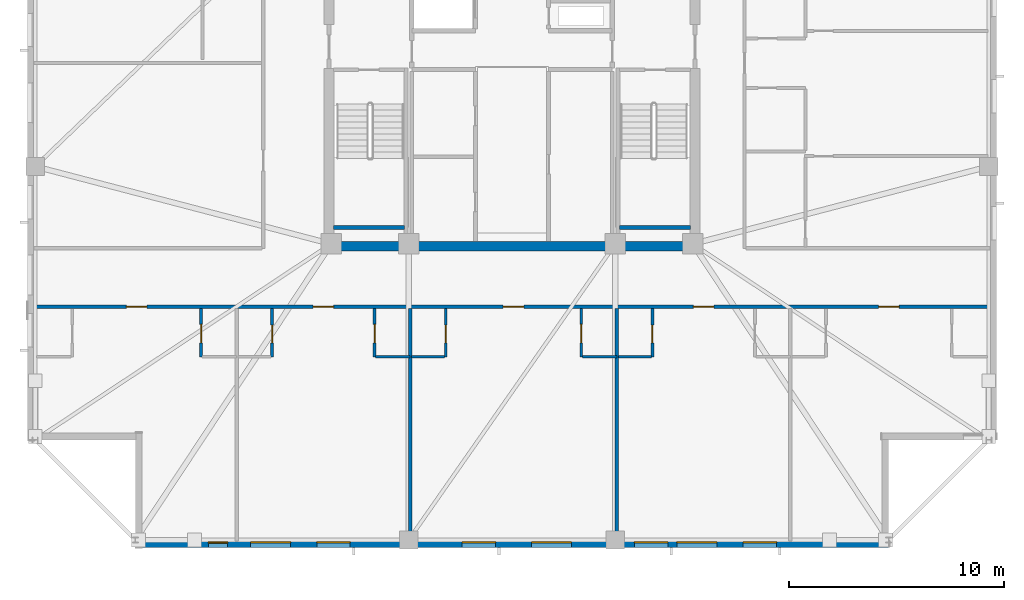
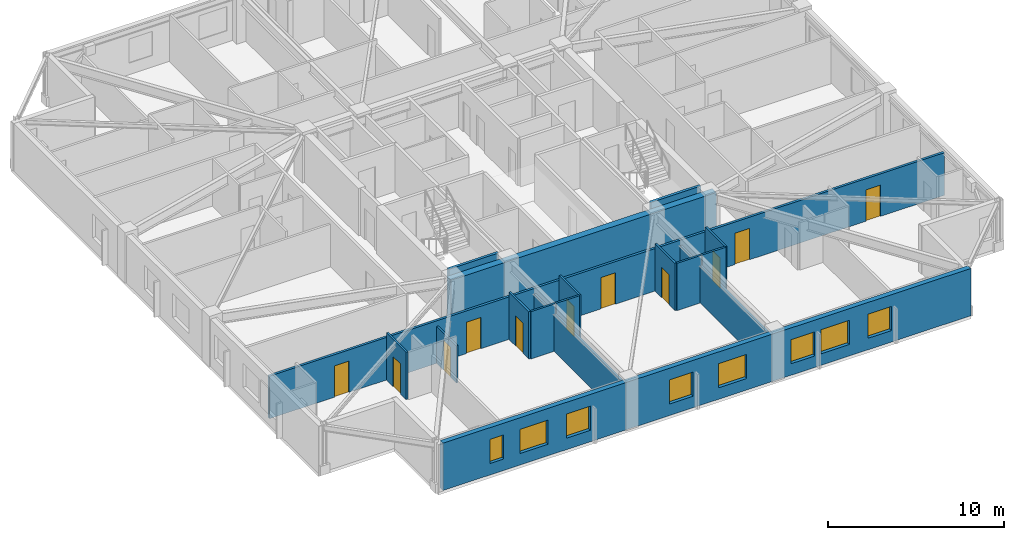
# One storey, part 7 of 17: 17 walls, 11 doors, 8 windows, 19 openings.
"""IFC4 building model written with IfcOpenShell, lengths in metres."""

import ifcopenshell
import ifcopenshell.guid

model = None  # the IFC model being written
_history = None  # IfcOwnerHistory: only IFC2X3 demands one
_inside = {}  # id of a spatial element -> (the spatial element, [elements in it])
_under = {}  # id of a project, library or spatial element -> (it, [spatial elements below it])
_declared = {}  # id of a project -> (the project, [libraries it declares])
_typed = {}  # id of a type object -> (the type object, [elements of that type])
_made_of = {}  # id of a material, layer set ... -> (it, [elements and type objects made of it])


def new_model(schema):
    """Start an empty IFC model of exactly this schema.

    Asked for "IFC4X3", IfcOpenShell would pick the latest addendum, in which some entities
    have other attributes; the version numbers below select the first issue.
    IFC2X3 requires an IfcOwnerHistory on every rooted entity: one is made here for all.
    """
    global model, _history
    if schema == "IFC4X3":
        model = ifcopenshell.file(schema_version=(4, 3, 0, 0))
    else:
        model = ifcopenshell.file(schema=schema)
    _inside.clear()
    _under.clear()
    _declared.clear()
    _typed.clear()
    _made_of.clear()
    _history = None
    if model.schema == "IFC2X3":
        org = make("IfcOrganization", Name="unknown")
        user = make(
            "IfcPersonAndOrganization",
            ThePerson=make("IfcPerson", FamilyName="unknown"),
            TheOrganization=org,
        )
        app = make(
            "IfcApplication",
            ApplicationDeveloper=org,
            Version="unknown",
            ApplicationFullName="unknown",
            ApplicationIdentifier="unknown",
        )
        _history = make(
            "IfcOwnerHistory",
            OwningUser=user,
            OwningApplication=app,
            ChangeAction="ADDED",
            CreationDate=0,
        )
    return model


def make(cls, **values):
    """One entity of the class cls with the attributes given. An attribute that is None is left unset."""
    return model.create_entity(
        cls, **{name: value for name, value in values.items() if value is not None}
    )


def rooted(cls, **values):
    """An entity with a GlobalId (a new one), such as an element, a storey or a relation."""
    return make(cls, GlobalId=ifcopenshell.guid.new(), OwnerHistory=_history, **values)


def si_unit(unit_type, name, prefix=None):
    """IfcSIUnit, for example si_unit("LENGTHUNIT", "METRE", prefix="MILLI")."""
    return make("IfcSIUnit", UnitType=unit_type, Prefix=prefix, Name=name)


def assignment(units):
    """IfcUnitAssignment: the units of a project."""
    return None if units is None else make("IfcUnitAssignment", Units=units)


def point(xyz):
    """IfcCartesianPoint."""
    return None if xyz is None else make("IfcCartesianPoint", Coordinates=xyz)


def direction(xyz):
    """IfcDirection."""
    return None if xyz is None else make("IfcDirection", DirectionRatios=xyz)


def frame(location, z_axis=None, x_axis=None):
    """IfcAxis2Placement3D, a coordinate frame: its origin and axes. An axis left out is left unset."""
    return make(
        "IfcAxis2Placement3D",
        Location=point(location),
        Axis=direction(z_axis),
        RefDirection=direction(x_axis),
    )


def frame_2d(location, x_axis=None):
    """IfcAxis2Placement2D, a coordinate frame in the plane: its origin and x axis."""
    return make(
        "IfcAxis2Placement2D", Location=point(location), RefDirection=direction(x_axis)
    )


def origin():
    """The frame at (0, 0, 0) with its axes left unset."""
    return frame((0.0, 0.0, 0.0))


def place(relative_to, where):
    """IfcLocalPlacement: puts the frame where relative to a parent placement (None: the world)."""
    return make(
        "IfcLocalPlacement", PlacementRelTo=relative_to, RelativePlacement=where
    )


def context(
    kind, dimensions, precision=None, world=None, true_north=None, identifier=None
):
    """IfcGeometricRepresentationContext, for example the 3D "Model" context."""
    return make(
        "IfcGeometricRepresentationContext",
        ContextIdentifier=identifier,
        ContextType=kind,
        CoordinateSpaceDimension=dimensions,
        Precision=precision,
        WorldCoordinateSystem=world,
        TrueNorth=true_north,
    )


def subcontext(parent, identifier, kind, view, scale=None):
    """IfcGeometricRepresentationSubContext, for example "Body" below "Model"."""
    return make(
        "IfcGeometricRepresentationSubContext",
        ContextIdentifier=identifier,
        ContextType=kind,
        ParentContext=parent,
        TargetScale=scale,
        TargetView=view,
    )


def project(units=None, contexts=None):
    """IfcProject with its units and contexts."""
    return rooted(
        "IfcProject",
        Name="project",
        RepresentationContexts=contexts,
        UnitsInContext=assignment(units),
    )


def spatial(cls, under=None, at=None, **own):
    """A site, building, storey or space (cls), placed at a placement, below another one or the project."""
    s = rooted(cls, ObjectPlacement=at, **own)
    if under is not None:
        _under.setdefault(under.id(), (under, []))[1].append(s)
    return s


def profile(cls, at=None, kind="AREA", **sizes):
    """A parametric profile (cls). Its sizes go by their IFC names, for example OverallWidth=200.0."""
    return make(cls, ProfileType=kind, Position=at, **sizes)


def rectangle(**sizes):
    """IfcRectangleProfileDef."""
    return profile("IfcRectangleProfileDef", **sizes)


def extrude(swept, where, along, depth):
    """IfcExtrudedAreaSolid: the profile swept, set in the frame where, extruded along a direction by depth."""
    return make(
        "IfcExtrudedAreaSolid",
        SweptArea=swept,
        Position=where,
        ExtrudedDirection=direction(along),
        Depth=depth,
    )


def shape(context_of_items, identifier, shape_type, items):
    """IfcShapeRepresentation: the items that make up one representation, for example the "Body"."""
    return make(
        "IfcShapeRepresentation",
        ContextOfItems=context_of_items,
        RepresentationIdentifier=identifier,
        RepresentationType=shape_type,
        Items=items,
    )


def material(Name=None, Category=None):
    """IfcMaterial."""
    return make("IfcMaterial", Name=Name, Category=Category)


def layer(
    of_material, thickness, ventilated=None, Name=None, Category=None, Priority=None
):
    """IfcMaterialLayer: one layer of a wall or slab, of a material (None: an air gap)."""
    return make(
        "IfcMaterialLayer",
        Material=of_material,
        LayerThickness=thickness,
        IsVentilated=ventilated,
        Name=Name,
        Category=Category,
        Priority=Priority,
    )


def layer_set(layers, Name=None):
    """IfcMaterialLayerSet."""
    return make("IfcMaterialLayerSet", MaterialLayers=layers, LayerSetName=Name)


def made_of(thing, what):
    """Note that an element or type object is made of a material, layer set ...; save() writes the relation."""
    if what is not None:
        _made_of.setdefault(what.id(), (what, []))[1].append(thing)
    return thing


def type_object(cls, material=None, **own):
    """A type object (cls), such as IfcWallType, which elements share."""
    return made_of(rooted(cls, **own), material)


def element(
    cls,
    number,
    at=None,
    inside=None,
    cuts=None,
    type_object=None,
    material=None,
    context=None,
    identifier="Body",
    shape_type=None,
    held_by="IfcProductDefinitionShape",
    body=None,
    shapes=None,
    **own,
):
    """One element of the class cls, such as IfcWall. Its Tag is "e" and its number.

    at: its placement. inside: the storey or other place that contains it. cuts: it is an
    opening in that element (IfcRelVoidsElement). A single representation is given by context,
    identifier, shape_type and body (its items); several are given by shapes. held_by: the class
    of the entity that holds the representations. save() writes the other relations.
    """
    e = rooted(cls, Tag="e%d" % number, ObjectPlacement=at, **own)
    if body is not None:
        shapes = [shape(context, identifier, shape_type, body)]
    if shapes is not None:
        e.Representation = make(held_by, Representations=shapes)
    if inside is not None:
        _inside.setdefault(inside.id(), (inside, []))[1].append(e)
    if cuts is not None:
        rooted(
            "IfcRelVoidsElement", RelatingBuildingElement=cuts, RelatedOpeningElement=e
        )
    if type_object is not None:
        _typed.setdefault(type_object.id(), (type_object, []))[1].append(e)
    return made_of(e, material)


def fill(opening, filler):
    """IfcRelFillsElement: the door or window that sits in an opening."""
    return rooted(
        "IfcRelFillsElement",
        RelatingOpeningElement=opening,
        RelatedBuildingElement=filler,
    )


def aggregate(whole, parts):
    """IfcRelAggregates: a whole, such as a stair, and the parts it consists of."""
    return rooted("IfcRelAggregates", RelatingObject=whole, RelatedObjects=parts)


def save(model, path):
    """Write the relations noted so far, then the file.

    IfcRelAggregates (storeys below a building ...), IfcRelContainedInSpatialStructure (elements
    in a storey), IfcRelDefinesByType, IfcRelAssociatesMaterial and IfcRelDeclares: one each for
    every whole, place, type object, material and project.
    """
    for whole, parts in _under.values():
        aggregate(whole, parts)
    for where, things in _inside.values():
        rooted(
            "IfcRelContainedInSpatialStructure",
            RelatedElements=things,
            RelatingStructure=where,
        )
    for kind, things in _typed.values():
        rooted("IfcRelDefinesByType", RelatedObjects=things, RelatingType=kind)
    for what, things in _made_of.values():
        rooted("IfcRelAssociatesMaterial", RelatedObjects=things, RelatingMaterial=what)
    for by, libraries in _declared.values():
        rooted("IfcRelDeclares", RelatingContext=by, RelatedDefinitions=libraries)
    model.write(path)


model = new_model("IFC4")

# Units and contexts
model_context = context("Model", 3, precision=1e-05, world=origin(), true_north=direction((0.0, 1.0)))
body_context = subcontext(model_context, "Body", "Model", "MODEL_VIEW")
ifc_project = project(units=[si_unit("LENGTHUNIT", "METRE"), si_unit("AREAUNIT", "SQUARE_METRE"), si_unit("VOLUMEUNIT", "CUBIC_METRE"), si_unit("PLANEANGLEUNIT", "RADIAN"), si_unit("MASSUNIT", "GRAM", prefix="KILO")], contexts=[model_context])

# Site, building, storey
site_placement = place(None, origin())
site = spatial("IfcSite", under=ifc_project, at=site_placement, CompositionType="ELEMENT")
building_placement = place(site_placement, origin())
building = spatial("IfcBuilding", under=site, at=building_placement, Name="Cairnveth Concourse Tower", CompositionType="ELEMENT")
storey_placement = place(building_placement, frame((0.0, 0.0, 213.0)))
storey = spatial("IfcBuildingStorey", under=building, at=storey_placement, Name="L58", CompositionType="ELEMENT", Elevation=213.0)

# Wall, openings, doors
ifc_material_1 = material(Name="Gypsum Plasterboard Partition", Category="gypsum")
ifc_layer_1 = layer(ifc_material_1, 0.159912109375)
ifc_layer_set_1 = layer_set([ifc_layer_1], Name="Gypsum Plasterboard Partition")
wall_type_1 = type_object("IfcWallType", Name="ACOUSTIC PARTY WALL 180", PredefinedType="PARTITIONING", material=ifc_layer_set_1)
wall_1_placement = place(storey_placement, frame((29.804931640625, 27.68994140625, 0.0), z_axis=(0.0, 0.0, 1.0), x_axis=(1.0, 0.0, 0.0)))
wall_1 = element("IfcWall", 1, at=wall_1_placement, inside=storey, type_object=wall_type_1, Name="Interior Wall IW-L58-035", PredefinedType="PARTITIONING", context=body_context, shape_type="SweptSolid", body=[
    extrude(rectangle(XDim=44.39013671875, YDim=0.159912109375, at=frame_2d((22.195068359375, 0.0))), origin(), (0.0, 0.0, 1.0), 2.9580078125),
])
opening_1_placement = place(wall_1_placement, frame((4.278564453125, 0.0, 0.0)))
opening_1 = element("IfcOpeningElement", 2, at=opening_1_placement, cuts=wall_1, Name="Opening ID10", PredefinedType="OPENING", context=body_context, shape_type="SweptSolid", body=[
    extrude(rectangle(XDim=0.9599609375, YDim=2.179931640625, at=frame_2d((0.47998046875, 1.08984375))), frame((0.0, 0.08984375, 0.0), z_axis=(0.0, -1.0, 0.0), x_axis=(1.0, 0.0, 0.0)), (0.0, 0.0, 1.0), 0.179931640625),
])
opening_2_placement = place(wall_1_placement, frame((12.952880859375, 0.0, 0.0)))
opening_2 = element("IfcOpeningElement", 3, at=opening_2_placement, cuts=wall_1, Name="Opening ID10", PredefinedType="OPENING", context=body_context, shape_type="SweptSolid", body=[
    extrude(rectangle(XDim=0.9599609375, YDim=2.179931640625, at=frame_2d((0.47998046875, 1.08984375))), frame((0.0, 0.08984375, 0.0), z_axis=(0.0, -1.0, 0.0), x_axis=(1.0, 0.0, 0.0)), (0.0, 0.0, 1.0), 0.179931640625),
])
opening_3_placement = place(wall_1_placement, frame((21.784912109375, 0.0, 0.0)))
opening_3 = element("IfcOpeningElement", 4, at=opening_3_placement, cuts=wall_1, Name="Opening ID10", PredefinedType="OPENING", context=body_context, shape_type="SweptSolid", body=[
    extrude(rectangle(XDim=0.9599609375, YDim=2.179931640625, at=frame_2d((0.47998046875, 1.08984375))), frame((0.0, 0.08984375, 0.0), z_axis=(0.0, -1.0, 0.0), x_axis=(1.0, 0.0, 0.0)), (0.0, 0.0, 1.0), 0.179931640625),
])
opening_4_placement = place(wall_1_placement, frame((30.616943359375, 0.0, 0.0)))
opening_4 = element("IfcOpeningElement", 5, at=opening_4_placement, cuts=wall_1, Name="Opening ID10", PredefinedType="OPENING", context=body_context, shape_type="SweptSolid", body=[
    extrude(rectangle(XDim=0.9599609375, YDim=2.179931640625, at=frame_2d((0.47998046875, 1.08984375))), frame((0.0, 0.08984375, 0.0), z_axis=(0.0, -1.0, 0.0), x_axis=(1.0, 0.0, 0.0)), (0.0, 0.0, 1.0), 0.179931640625),
])
opening_5_placement = place(wall_1_placement, frame((39.221435546875, 0.0, 0.0)))
opening_5 = element("IfcOpeningElement", 6, at=opening_5_placement, cuts=wall_1, Name="Opening ID10", PredefinedType="OPENING", context=body_context, shape_type="SweptSolid", body=[
    extrude(rectangle(XDim=0.9599609375, YDim=2.179931640625, at=frame_2d((0.47998046875, 1.08984375))), frame((0.0, 0.08984375, 0.0), z_axis=(0.0, -1.0, 0.0), x_axis=(1.0, 0.0, 0.0)), (0.0, 0.0, 1.0), 0.179931640625),
])
ifc_material_2 = material(Name="Solid Core Hardwood Timber Leaf", Category="wood")
door_type_1 = type_object("IfcDoorType", Name="FLAT ENTRANCE DOOR 960X2150", OperationType="NOTDEFINED", PredefinedType="DOOR", material=ifc_material_2)
door_1_placement = place(opening_1_placement, origin())
door_1 = element("IfcDoor", 7, at=door_1_placement, inside=storey, type_object=door_type_1, Name="Studio L58STS1 Entrance Door", OperationType="SINGLE_SWING_RIGHT", OverallHeight=2.179931640625, OverallWidth=0.9599609375, PredefinedType="DOOR", context=body_context, shape_type="SweptSolid", body=[
    extrude(rectangle(XDim=0.9599609375, YDim=2.179931640625, at=frame_2d((0.47998046875, 1.08984375))), frame((0.0, 0.02490234375, 0.0), z_axis=(0.0, -1.0, 0.0), x_axis=(1.0, 0.0, 0.0)), (0.0, 0.0, 1.0), 0.050048828125),
])
fill(opening_1, door_1)
door_2_placement = place(opening_2_placement, origin())
door_2 = element("IfcDoor", 8, at=door_2_placement, inside=storey, type_object=door_type_1, Name="Studio L58STS2 Entrance Door", OperationType="SINGLE_SWING_LEFT", OverallHeight=2.179931640625, OverallWidth=0.9599609375, PredefinedType="DOOR", context=body_context, shape_type="SweptSolid", body=[
    extrude(rectangle(XDim=0.9599609375, YDim=2.179931640625, at=frame_2d((0.47998046875, 1.08984375))), frame((0.0, 0.02490234375, 0.0), z_axis=(0.0, -1.0, 0.0), x_axis=(1.0, 0.0, 0.0)), (0.0, 0.0, 1.0), 0.050048828125),
])
fill(opening_2, door_2)
door_3_placement = place(opening_3_placement, origin())
door_3 = element("IfcDoor", 9, at=door_3_placement, inside=storey, type_object=door_type_1, Name="Studio L58STS3 Entrance Door", OperationType="SINGLE_SWING_RIGHT", OverallHeight=2.179931640625, OverallWidth=0.9599609375, PredefinedType="DOOR", context=body_context, shape_type="SweptSolid", body=[
    extrude(rectangle(XDim=0.9599609375, YDim=2.179931640625, at=frame_2d((0.47998046875, 1.08984375))), frame((0.0, 0.02490234375, 0.0), z_axis=(0.0, -1.0, 0.0), x_axis=(1.0, 0.0, 0.0)), (0.0, 0.0, 1.0), 0.050048828125),
])
fill(opening_3, door_3)
door_4_placement = place(opening_4_placement, origin())
door_4 = element("IfcDoor", 10, at=door_4_placement, inside=storey, type_object=door_type_1, Name="Studio L58STS4 Entrance Door", OperationType="SINGLE_SWING_LEFT", OverallHeight=2.179931640625, OverallWidth=0.9599609375, PredefinedType="DOOR", context=body_context, shape_type="SweptSolid", body=[
    extrude(rectangle(XDim=0.9599609375, YDim=2.179931640625, at=frame_2d((0.47998046875, 1.08984375))), frame((0.0, 0.02490234375, 0.0), z_axis=(0.0, -1.0, 0.0), x_axis=(1.0, 0.0, 0.0)), (0.0, 0.0, 1.0), 0.050048828125),
])
fill(opening_4, door_4)
door_5_placement = place(opening_5_placement, origin())
door_5 = element("IfcDoor", 11, at=door_5_placement, inside=storey, type_object=door_type_1, Name="Studio L58STS5 Entrance Door", OperationType="SINGLE_SWING_RIGHT", OverallHeight=2.179931640625, OverallWidth=0.9599609375, PredefinedType="DOOR", context=body_context, shape_type="SweptSolid", body=[
    extrude(rectangle(XDim=0.9599609375, YDim=2.179931640625, at=frame_2d((0.47998046875, 1.08984375))), frame((0.0, 0.02490234375, 0.0), z_axis=(0.0, -1.0, 0.0), x_axis=(1.0, 0.0, 0.0)), (0.0, 0.0, 1.0), 0.050048828125),
])
fill(opening_5, door_5)

# Walls
for number, where, z_axis, x_axis, name in (
    (12, (47.26904296875, 16.804931640625, 0.0), (0.0, 0.0, 1.0), (0.0, 1.0, 0.0), "Interior Wall IW-L58-052"),
    (13, (56.87109375, 16.804931640625, 0.0), (0.0, 0.0, 1.0), (0.0, 1.0, 0.0), "Interior Wall IW-L58-057"),
):
    element("IfcWall", number, at=place(storey_placement, frame(where, z_axis=z_axis, x_axis=x_axis)), inside=storey, type_object=wall_type_1, Name=name, PredefinedType="PARTITIONING", context=body_context, shape_type="SweptSolid", body=[
        extrude(rectangle(XDim=10.80517578125, YDim=0.159912109375, at=frame_2d((5.402587890625, 0.0))), origin(), (0.0, 0.0, 1.0), 2.572998046875),
    ])
ifc_material_3 = material(Name="Concrete N65 (65 MPa)", Category="concrete")
ifc_layer_2 = layer(ifc_material_3, 0.449951171875)
ifc_layer_set_2 = layer_set([ifc_layer_2], Name="Concrete N65 (65 MPa)")
wall_type_2 = type_object("IfcWallType", Name="CORE SHEAR WALL 450", PredefinedType="SHEAR", material=ifc_layer_set_2)
wall_2_placement = place(storey_placement, frame((43.27490234375, 30.5, 0.0), z_axis=(0.0, 0.0, 1.0), x_axis=(1.0, 0.0, 0.0)))
element("IfcWall", 14, at=wall_2_placement, inside=storey, type_object=wall_type_2, Name="Core South Shear Wall L58", PredefinedType="SHEAR", context=body_context, shape_type="SweptSolid", body=[
    extrude(rectangle(XDim=17.4501953125, YDim=0.449951171875, at=frame_2d((8.72509765625, 0.0))), origin(), (0.0, 0.0, 1.0), 3.2900390625),
])
ifc_material_4 = material(Name="Concrete N50 (50 MPa)", Category="concrete")
ifc_layer_3 = layer(ifc_material_4, 0.179931640625)
ifc_layer_set_3 = layer_set([ifc_layer_3], Name="Concrete N50 (50 MPa)")
wall_type_3 = type_object("IfcWallType", Name="FIRE SHAFT WALL 180", PredefinedType="SOLIDWALL", material=ifc_layer_set_3)
for number, where, z_axis, x_axis, name in (
    (15, (43.715087890625, 31.360107421875, 0.0), (0.0, 0.0, 1.0), (1.0, 0.0, 0.0), "Stair ST-1 Shaft Wall FAR L58"),
    (16, (57.0048828125, 31.360107421875, 0.0), (0.0, 0.0, 1.0), (1.0, 0.0, 0.0), "Stair ST-2 Shaft Wall FAR L58"),
):
    element("IfcWall", number, at=place(storey_placement, frame(where, z_axis=z_axis, x_axis=x_axis)), inside=storey, type_object=wall_type_3, Name=name, PredefinedType="SOLIDWALL", context=body_context, shape_type="SweptSolid", body=[
        extrude(rectangle(XDim=3.280029296875, YDim=0.179931640625, at=frame_2d((1.64013671875, 0.0))), origin(), (0.0, 0.0, 1.0), 3.2900390625),
    ])

# Wall, opening, door
ifc_layer_4 = layer(ifc_material_1, 0.1298828125)
ifc_layer_set_4 = layer_set([ifc_layer_4], Name="Gypsum Plasterboard Partition")
wall_type_4 = type_object("IfcWallType", Name="WET AREA PARTITION 140", PredefinedType="PLUMBINGWALL", material=ifc_layer_set_4)
wall_3_placement = place(storey_placement, frame((37.556884765625, 25.360107421875, 0.0), z_axis=(0.0, 0.0, 1.0), x_axis=(0.0, 1.0, 0.0)))
wall_3 = element("IfcWall", 17, at=wall_3_placement, inside=storey, type_object=wall_type_4, Name="Interior Wall IW-L58-045", PredefinedType="PLUMBINGWALL", context=body_context, shape_type="SweptSolid", body=[
    extrude(rectangle(XDim=2.25, YDim=0.1298828125, at=frame_2d((1.125, 0.0))), origin(), (0.0, 0.0, 1.0), 3.2900390625),
])
opening_6_placement = place(wall_3_placement, frame((0.64990234375, 0.0, 0.0)))
opening_6 = element("IfcOpeningElement", 18, at=opening_6_placement, cuts=wall_3, Name="Opening ID20", PredefinedType="OPENING", context=body_context, shape_type="SweptSolid", body=[
    extrude(rectangle(XDim=0.85009765625, YDim=2.10009765625, at=frame_2d((0.425048828125, 1.050048828125))), frame((0.0, 0.074951171875, 0.0), z_axis=(0.0, -1.0, 0.0), x_axis=(1.0, 0.0, 0.0)), (0.0, 0.0, 1.0), 0.14990234375),
])
door_type_2 = type_object("IfcDoorType", Name="INTERIOR SINGLE DOOR 850X2100", OperationType="NOTDEFINED", PredefinedType="DOOR", material=ifc_material_2)
door_6_placement = place(opening_6_placement, origin())
door_6 = element("IfcDoor", 19, at=door_6_placement, inside=storey, type_object=door_type_2, Name="L58STS1 Kitchen Door", OperationType="SINGLE_SWING_LEFT", OverallHeight=2.10009765625, OverallWidth=0.85009765625, PredefinedType="DOOR", context=body_context, shape_type="SweptSolid", body=[
    extrude(rectangle(XDim=0.85009765625, YDim=2.10009765625, at=frame_2d((0.425048828125, 1.050048828125))), frame((0.0, 0.02490234375, 0.0), z_axis=(0.0, -1.0, 0.0), x_axis=(1.0, 0.0, 0.0)), (0.0, 0.0, 1.0), 0.050048828125),
])
fill(opening_6, door_6)

wall_4_placement = place(storey_placement, frame((40.85693359375, 25.360107421875, 0.0), z_axis=(0.0, 0.0, 1.0), x_axis=(0.0, 1.0, 0.0)))
wall_4 = element("IfcWall", 20, at=wall_4_placement, inside=storey, type_object=wall_type_4, Name="Interior Wall IW-L58-048", PredefinedType="PLUMBINGWALL", context=body_context, shape_type="SweptSolid", body=[
    extrude(rectangle(XDim=2.25, YDim=0.1298828125, at=frame_2d((1.125, 0.0))), origin(), (0.0, 0.0, 1.0), 2.572998046875),
])
opening_7_placement = place(wall_4_placement, frame((0.64990234375, 0.0, 0.0)))
opening_7 = element("IfcOpeningElement", 21, at=opening_7_placement, cuts=wall_4, Name="Opening ID22", PredefinedType="OPENING", context=body_context, shape_type="SweptSolid", body=[
    extrude(rectangle(XDim=0.820068359375, YDim=2.10009765625, at=frame_2d((0.41015625, 1.050048828125))), frame((0.0, 0.074951171875, 0.0), z_axis=(0.0, -1.0, 0.0), x_axis=(1.0, 0.0, 0.0)), (0.0, 0.0, 1.0), 0.14990234375),
])
door_type_3 = type_object("IfcDoorType", Name="INTERIOR WC DOOR 820X2100", OperationType="NOTDEFINED", PredefinedType="DOOR", material=ifc_material_2)
door_7_placement = place(opening_7_placement, origin())
door_7 = element("IfcDoor", 22, at=door_7_placement, inside=storey, type_object=door_type_3, Name="L58STS2 Bathroom Door", OperationType="SINGLE_SWING_LEFT", OverallHeight=2.10009765625, OverallWidth=0.820068359375, PredefinedType="DOOR", context=body_context, shape_type="SweptSolid", body=[
    extrude(rectangle(XDim=0.820068359375, YDim=2.10009765625, at=frame_2d((0.41015625, 1.050048828125))), frame((0.0, 0.02490234375, 0.0), z_axis=(0.0, -1.0, 0.0), x_axis=(1.0, 0.0, 0.0)), (0.0, 0.0, 1.0), 0.050048828125),
])
fill(opening_7, door_7)

wall_5_placement = place(storey_placement, frame((45.618896484375, 25.360107421875, 0.0), z_axis=(0.0, 0.0, 1.0), x_axis=(0.0, 1.0, 0.0)))
wall_5 = element("IfcWall", 23, at=wall_5_placement, inside=storey, type_object=wall_type_4, Name="Interior Wall IW-L58-050", PredefinedType="PLUMBINGWALL", context=body_context, shape_type="SweptSolid", body=[
    extrude(rectangle(XDim=2.25, YDim=0.1298828125, at=frame_2d((1.125, 0.0))), origin(), (0.0, 0.0, 1.0), 3.2900390625),
])
opening_8_placement = place(wall_5_placement, frame((0.64990234375, 0.0, 0.0)))
opening_8 = element("IfcOpeningElement", 24, at=opening_8_placement, cuts=wall_5, Name="Opening ID20", PredefinedType="OPENING", context=body_context, shape_type="SweptSolid", body=[
    extrude(rectangle(XDim=0.85009765625, YDim=2.10009765625, at=frame_2d((0.425048828125, 1.050048828125))), frame((0.0, 0.074951171875, 0.0), z_axis=(0.0, -1.0, 0.0), x_axis=(1.0, 0.0, 0.0)), (0.0, 0.0, 1.0), 0.14990234375),
])
door_8_placement = place(opening_8_placement, origin())
door_8 = element("IfcDoor", 25, at=door_8_placement, inside=storey, type_object=door_type_2, Name="L58STS2 Kitchen Door", OperationType="SINGLE_SWING_RIGHT", OverallHeight=2.10009765625, OverallWidth=0.85009765625, PredefinedType="DOOR", context=body_context, shape_type="SweptSolid", body=[
    extrude(rectangle(XDim=0.85009765625, YDim=2.10009765625, at=frame_2d((0.425048828125, 1.050048828125))), frame((0.0, 0.02490234375, 0.0), z_axis=(0.0, -1.0, 0.0), x_axis=(1.0, 0.0, 0.0)), (0.0, 0.0, 1.0), 0.050048828125),
])
fill(opening_8, door_8)

# Wall
wall_6_placement = place(storey_placement, frame((45.6689453125, 25.360107421875, 0.0), z_axis=(0.0, 0.0, 1.0), x_axis=(1.0, 0.0, 0.0)))
element("IfcWall", 26, at=wall_6_placement, inside=storey, type_object=wall_type_4, Name="Interior Wall IW-L58-051", PredefinedType="PLUMBINGWALL", context=body_context, shape_type="SweptSolid", body=[
    extrude(rectangle(XDim=1.60009765625, YDim=0.1298828125, at=frame_2d((0.800048828125, 0.0))), origin(), (0.0, 0.0, 1.0), 3.2900390625),
])

# Wall, opening, door
wall_7_placement = place(storey_placement, frame((48.9189453125, 25.360107421875, 0.0), z_axis=(0.0, 0.0, 1.0), x_axis=(0.0, 1.0, 0.0)))
wall_7 = element("IfcWall", 27, at=wall_7_placement, inside=storey, type_object=wall_type_4, Name="Interior Wall IW-L58-053", PredefinedType="PLUMBINGWALL", context=body_context, shape_type="SweptSolid", body=[
    extrude(rectangle(XDim=2.25, YDim=0.1298828125, at=frame_2d((1.125, 0.0))), origin(), (0.0, 0.0, 1.0), 3.2900390625),
])
opening_9_placement = place(wall_7_placement, frame((0.64990234375, 0.0, 0.0)))
opening_9 = element("IfcOpeningElement", 28, at=opening_9_placement, cuts=wall_7, Name="Opening ID22", PredefinedType="OPENING", context=body_context, shape_type="SweptSolid", body=[
    extrude(rectangle(XDim=0.820068359375, YDim=2.10009765625, at=frame_2d((0.41015625, 1.050048828125))), frame((0.0, 0.074951171875, 0.0), z_axis=(0.0, -1.0, 0.0), x_axis=(1.0, 0.0, 0.0)), (0.0, 0.0, 1.0), 0.14990234375),
])
door_9_placement = place(opening_9_placement, origin())
door_9 = element("IfcDoor", 29, at=door_9_placement, inside=storey, type_object=door_type_3, Name="L58STS3 Bathroom Door", OperationType="SINGLE_SWING_RIGHT", OverallHeight=2.10009765625, OverallWidth=0.820068359375, PredefinedType="DOOR", context=body_context, shape_type="SweptSolid", body=[
    extrude(rectangle(XDim=0.820068359375, YDim=2.10009765625, at=frame_2d((0.41015625, 1.050048828125))), frame((0.0, 0.02490234375, 0.0), z_axis=(0.0, -1.0, 0.0), x_axis=(1.0, 0.0, 0.0)), (0.0, 0.0, 1.0), 0.050048828125),
])
fill(opening_9, door_9)

# Wall
wall_8_placement = place(storey_placement, frame((47.333984375, 25.360107421875, 0.0), z_axis=(0.0, 0.0, 1.0), x_axis=(1.0, 0.0, 0.0)))
element("IfcWall", 30, at=wall_8_placement, inside=storey, type_object=wall_type_4, Name="Interior Wall IW-L58-054", PredefinedType="PLUMBINGWALL", context=body_context, shape_type="SweptSolid", body=[
    extrude(rectangle(XDim=1.534912109375, YDim=0.1298828125, at=frame_2d((0.767578125, 0.0))), origin(), (0.0, 0.0, 1.0), 3.2900390625),
])

# Wall, opening, door
wall_9_placement = place(storey_placement, frame((55.220947265625, 25.360107421875, 0.0), z_axis=(0.0, 0.0, 1.0), x_axis=(0.0, 1.0, 0.0)))
wall_9 = element("IfcWall", 31, at=wall_9_placement, inside=storey, type_object=wall_type_4, Name="Interior Wall IW-L58-055", PredefinedType="PLUMBINGWALL", context=body_context, shape_type="SweptSolid", body=[
    extrude(rectangle(XDim=2.25, YDim=0.1298828125, at=frame_2d((1.125, 0.0))), origin(), (0.0, 0.0, 1.0), 3.2900390625),
])
opening_10_placement = place(wall_9_placement, frame((0.64990234375, 0.0, 0.0)))
opening_10 = element("IfcOpeningElement", 32, at=opening_10_placement, cuts=wall_9, Name="Opening ID20", PredefinedType="OPENING", context=body_context, shape_type="SweptSolid", body=[
    extrude(rectangle(XDim=0.85009765625, YDim=2.10009765625, at=frame_2d((0.425048828125, 1.050048828125))), frame((0.0, 0.074951171875, 0.0), z_axis=(0.0, -1.0, 0.0), x_axis=(1.0, 0.0, 0.0)), (0.0, 0.0, 1.0), 0.14990234375),
])
door_10_placement = place(opening_10_placement, origin())
door_10 = element("IfcDoor", 33, at=door_10_placement, inside=storey, type_object=door_type_2, Name="L58STS3 Kitchen Door", OperationType="SINGLE_SWING_LEFT", OverallHeight=2.10009765625, OverallWidth=0.85009765625, PredefinedType="DOOR", context=body_context, shape_type="SweptSolid", body=[
    extrude(rectangle(XDim=0.85009765625, YDim=2.10009765625, at=frame_2d((0.425048828125, 1.050048828125))), frame((0.0, 0.02490234375, 0.0), z_axis=(0.0, -1.0, 0.0), x_axis=(1.0, 0.0, 0.0)), (0.0, 0.0, 1.0), 0.050048828125),
])
fill(opening_10, door_10)

# Wall
wall_10_placement = place(storey_placement, frame((55.27099609375, 25.360107421875, 0.0), z_axis=(0.0, 0.0, 1.0), x_axis=(1.0, 0.0, 0.0)))
element("IfcWall", 34, at=wall_10_placement, inside=storey, type_object=wall_type_4, Name="Interior Wall IW-L58-056", PredefinedType="PLUMBINGWALL", context=body_context, shape_type="SweptSolid", body=[
    extrude(rectangle(XDim=1.60009765625, YDim=0.1298828125, at=frame_2d((0.800048828125, 0.0))), origin(), (0.0, 0.0, 1.0), 3.2900390625),
])

# Wall, opening, door
wall_11_placement = place(storey_placement, frame((58.52099609375, 25.360107421875, 0.0), z_axis=(0.0, 0.0, 1.0), x_axis=(0.0, 1.0, 0.0)))
wall_11 = element("IfcWall", 35, at=wall_11_placement, inside=storey, type_object=wall_type_4, Name="Interior Wall IW-L58-058", PredefinedType="PLUMBINGWALL", context=body_context, shape_type="SweptSolid", body=[
    extrude(rectangle(XDim=2.25, YDim=0.1298828125, at=frame_2d((1.125, 0.0))), origin(), (0.0, 0.0, 1.0), 3.2900390625),
])
opening_11_placement = place(wall_11_placement, frame((0.64990234375, 0.0, 0.0)))
opening_11 = element("IfcOpeningElement", 36, at=opening_11_placement, cuts=wall_11, Name="Opening ID22", PredefinedType="OPENING", context=body_context, shape_type="SweptSolid", body=[
    extrude(rectangle(XDim=0.820068359375, YDim=2.10009765625, at=frame_2d((0.41015625, 1.050048828125))), frame((0.0, 0.074951171875, 0.0), z_axis=(0.0, -1.0, 0.0), x_axis=(1.0, 0.0, 0.0)), (0.0, 0.0, 1.0), 0.14990234375),
])
door_11_placement = place(opening_11_placement, origin())
door_11 = element("IfcDoor", 37, at=door_11_placement, inside=storey, type_object=door_type_3, Name="L58STS4 Bathroom Door", OperationType="SINGLE_SWING_LEFT", OverallHeight=2.10009765625, OverallWidth=0.820068359375, PredefinedType="DOOR", context=body_context, shape_type="SweptSolid", body=[
    extrude(rectangle(XDim=0.820068359375, YDim=2.10009765625, at=frame_2d((0.41015625, 1.050048828125))), frame((0.0, 0.02490234375, 0.0), z_axis=(0.0, -1.0, 0.0), x_axis=(1.0, 0.0, 0.0)), (0.0, 0.0, 1.0), 0.050048828125),
])
fill(opening_11, door_11)

# Wall
wall_12_placement = place(storey_placement, frame((56.93603515625, 25.360107421875, 0.0), z_axis=(0.0, 0.0, 1.0), x_axis=(1.0, 0.0, 0.0)))
element("IfcWall", 38, at=wall_12_placement, inside=storey, type_object=wall_type_4, Name="Interior Wall IW-L58-059", PredefinedType="PLUMBINGWALL", context=body_context, shape_type="SweptSolid", body=[
    extrude(rectangle(XDim=1.534912109375, YDim=0.1298828125, at=frame_2d((0.767578125, 0.0))), origin(), (0.0, 0.0, 1.0), 3.2900390625),
])

# Wall, openings, windows
ifc_material_5 = material(Name="Melbourne Buff Fired Clay Brick Masonry", Category="masonry")
ifc_layer_5 = layer(ifc_material_5, 0.320068359375)
ifc_layer_set_5 = layer_set([ifc_layer_5], Name="Melbourne Buff Fired Clay Brick Masonry")
wall_type_5 = type_object("IfcWallType", Name="ZONE 3 BRICK PIER SPANDREL WALL 320", PredefinedType="SOLIDWALL", material=ifc_layer_set_5)
wall_13_placement = place(storey_placement, frame((69.5, 16.659912109375, 0.0), z_axis=(0.0, 0.0, 1.0), x_axis=(-1.0, 0.0, 0.0)))
wall_13 = element("IfcWall", 39, at=wall_13_placement, inside=storey, type_object=wall_type_5, Name="Exterior Wall EW-L58-S06", PredefinedType="SOLIDWALL", context=body_context, shape_type="SweptSolid", body=[
    extrude(rectangle(XDim=34.701904296875, YDim=0.320068359375, at=frame_2d((17.35107421875, 0.0))), origin(), (0.0, 0.0, 1.0), 3.2900390625),
])
opening_12_placement = place(wall_13_placement, frame((5.212646484375, 0.0, 0.800048828125)))
opening_12 = element("IfcOpeningElement", 40, at=opening_12_placement, cuts=wall_13, Name="Opening W07", PredefinedType="OPENING", context=body_context, shape_type="SweptSolid", body=[
    extrude(rectangle(XDim=1.550048828125, YDim=1.677978515625, at=frame_2d((0.77490234375, 0.8388671875))), frame((0.0, 0.169921875, 0.0), z_axis=(0.0, -1.0, 0.0), x_axis=(1.0, 0.0, 0.0)), (0.0, 0.0, 1.0), 0.340087890625),
])
opening_13_placement = place(wall_13_placement, frame((7.98779296875, 0.0, 0.800048828125)))
opening_13 = element("IfcOpeningElement", 41, at=opening_13_placement, cuts=wall_13, Name="Opening W08", PredefinedType="OPENING", context=body_context, shape_type="SweptSolid", body=[
    extrude(rectangle(XDim=1.85009765625, YDim=1.677978515625, at=frame_2d((0.925048828125, 0.8388671875))), frame((0.0, 0.169921875, 0.0), z_axis=(0.0, -1.0, 0.0), x_axis=(1.0, 0.0, 0.0)), (0.0, 0.0, 1.0), 0.340087890625),
])
opening_14_placement = place(wall_13_placement, frame((10.26318359375, 0.0, 0.800048828125)))
opening_14 = element("IfcOpeningElement", 42, at=opening_14_placement, cuts=wall_13, Name="Opening W07", PredefinedType="OPENING", context=body_context, shape_type="SweptSolid", body=[
    extrude(rectangle(XDim=1.550048828125, YDim=1.677978515625, at=frame_2d((0.77490234375, 0.8388671875))), frame((0.0, 0.169921875, 0.0), z_axis=(0.0, -1.0, 0.0), x_axis=(1.0, 0.0, 0.0)), (0.0, 0.0, 1.0), 0.340087890625),
])
opening_15_placement = place(wall_13_placement, frame((14.73828125, 0.0, 0.800048828125)))
opening_15 = element("IfcOpeningElement", 43, at=opening_15_placement, cuts=wall_13, Name="Opening W08", PredefinedType="OPENING", context=body_context, shape_type="SweptSolid", body=[
    extrude(rectangle(XDim=1.85009765625, YDim=1.677978515625, at=frame_2d((0.925048828125, 0.8388671875))), frame((0.0, 0.169921875, 0.0), z_axis=(0.0, -1.0, 0.0), x_axis=(1.0, 0.0, 0.0)), (0.0, 0.0, 1.0), 0.340087890625),
])
opening_16_placement = place(wall_13_placement, frame((18.263671875, 0.0, 0.800048828125)))
opening_16 = element("IfcOpeningElement", 44, at=opening_16_placement, cuts=wall_13, Name="Opening W07", PredefinedType="OPENING", context=body_context, shape_type="SweptSolid", body=[
    extrude(rectangle(XDim=1.550048828125, YDim=1.677978515625, at=frame_2d((0.77490234375, 0.8388671875))), frame((0.0, 0.169921875, 0.0), z_axis=(0.0, -1.0, 0.0), x_axis=(1.0, 0.0, 0.0)), (0.0, 0.0, 1.0), 0.340087890625),
])
opening_17_placement = place(wall_13_placement, frame((25.01416015625, 0.0, 0.800048828125)))
opening_17 = element("IfcOpeningElement", 45, at=opening_17_placement, cuts=wall_13, Name="Opening W07", PredefinedType="OPENING", context=body_context, shape_type="SweptSolid", body=[
    extrude(rectangle(XDim=1.550048828125, YDim=1.677978515625, at=frame_2d((0.77490234375, 0.8388671875))), frame((0.0, 0.169921875, 0.0), z_axis=(0.0, -1.0, 0.0), x_axis=(1.0, 0.0, 0.0)), (0.0, 0.0, 1.0), 0.340087890625),
])
opening_18_placement = place(wall_13_placement, frame((27.789306640625, 0.0, 0.800048828125)))
opening_18 = element("IfcOpeningElement", 46, at=opening_18_placement, cuts=wall_13, Name="Opening W08", PredefinedType="OPENING", context=body_context, shape_type="SweptSolid", body=[
    extrude(rectangle(XDim=1.85009765625, YDim=1.677978515625, at=frame_2d((0.925048828125, 0.8388671875))), frame((0.0, 0.169921875, 0.0), z_axis=(0.0, -1.0, 0.0), x_axis=(1.0, 0.0, 0.0)), (0.0, 0.0, 1.0), 0.340087890625),
])
opening_19_placement = place(wall_13_placement, frame((30.7099609375, 0.0, 0.800048828125)))
opening_19 = element("IfcOpeningElement", 47, at=opening_19_placement, cuts=wall_13, Name="Opening W13", PredefinedType="OPENING", context=body_context, shape_type="SweptSolid", body=[
    extrude(rectangle(XDim=0.89990234375, YDim=1.677978515625, at=frame_2d((0.449951171875, 0.8388671875))), frame((0.0, 0.169921875, 0.0), z_axis=(0.0, -1.0, 0.0), x_axis=(1.0, 0.0, 0.0)), (0.0, 0.0, 1.0), 0.340087890625),
])
ifc_material_6 = material(Name="Double Glazed Low-E Clear Glass", Category="glass")
window_type_1 = type_object("IfcWindowType", Name="DEEP-SET APARTMENT LIVING WINDOW 1850X1850", PartitioningType="DOUBLE_PANEL_VERTICAL", PredefinedType="WINDOW", material=ifc_material_6)
window_1_placement = place(opening_13_placement, origin())
window_1 = element("IfcWindow", 48, at=window_1_placement, inside=storey, type_object=window_type_1, Name="Gothic Lancet Window L58-6-2", OverallHeight=1.677978515625, OverallWidth=1.85009765625, PartitioningType="SINGLE_PANEL", PredefinedType="WINDOW", context=body_context, shape_type="SweptSolid", body=[
    extrude(rectangle(XDim=1.85009765625, YDim=1.677978515625, at=frame_2d((0.925048828125, 0.8388671875))), frame((0.0, -0.050048828125, 0.0), z_axis=(0.0, -1.0, 0.0), x_axis=(1.0, 0.0, 0.0)), (0.0, 0.0, 1.0), 0.06005859375),
])
fill(opening_13, window_1)
window_2_placement = place(opening_15_placement, origin())
window_2 = element("IfcWindow", 49, at=window_2_placement, inside=storey, type_object=window_type_1, Name="Gothic Lancet Window L58-6-4", OverallHeight=1.677978515625, OverallWidth=1.85009765625, PartitioningType="SINGLE_PANEL", PredefinedType="WINDOW", context=body_context, shape_type="SweptSolid", body=[
    extrude(rectangle(XDim=1.85009765625, YDim=1.677978515625, at=frame_2d((0.925048828125, 0.8388671875))), frame((0.0, -0.050048828125, 0.0), z_axis=(0.0, -1.0, 0.0), x_axis=(1.0, 0.0, 0.0)), (0.0, 0.0, 1.0), 0.06005859375),
])
fill(opening_15, window_2)
window_3_placement = place(opening_18_placement, origin())
window_3 = element("IfcWindow", 50, at=window_3_placement, inside=storey, type_object=window_type_1, Name="Gothic Lancet Window L58-6-8", OverallHeight=1.677978515625, OverallWidth=1.85009765625, PartitioningType="SINGLE_PANEL", PredefinedType="WINDOW", context=body_context, shape_type="SweptSolid", body=[
    extrude(rectangle(XDim=1.85009765625, YDim=1.677978515625, at=frame_2d((0.925048828125, 0.8388671875))), frame((0.0, -0.050048828125, 0.0), z_axis=(0.0, -1.0, 0.0), x_axis=(1.0, 0.0, 0.0)), (0.0, 0.0, 1.0), 0.06005859375),
])
fill(opening_18, window_3)
window_type_2 = type_object("IfcWindowType", Name="DEEP-SET APARTMENT WINDOW 1550X1800", PartitioningType="DOUBLE_PANEL_VERTICAL", PredefinedType="WINDOW", material=ifc_material_6)
window_4_placement = place(opening_12_placement, origin())
window_4 = element("IfcWindow", 51, at=window_4_placement, inside=storey, type_object=window_type_2, Name="Gothic Lancet Window L58-6-1", OverallHeight=1.677978515625, OverallWidth=1.550048828125, PartitioningType="SINGLE_PANEL", PredefinedType="WINDOW", context=body_context, shape_type="SweptSolid", body=[
    extrude(rectangle(XDim=1.550048828125, YDim=1.677978515625, at=frame_2d((0.77490234375, 0.8388671875))), frame((0.0, -0.050048828125, 0.0), z_axis=(0.0, -1.0, 0.0), x_axis=(1.0, 0.0, 0.0)), (0.0, 0.0, 1.0), 0.06005859375),
])
fill(opening_12, window_4)
window_5_placement = place(opening_14_placement, origin())
window_5 = element("IfcWindow", 52, at=window_5_placement, inside=storey, type_object=window_type_2, Name="Gothic Lancet Window L58-6-3", OverallHeight=1.677978515625, OverallWidth=1.550048828125, PartitioningType="SINGLE_PANEL", PredefinedType="WINDOW", context=body_context, shape_type="SweptSolid", body=[
    extrude(rectangle(XDim=1.550048828125, YDim=1.677978515625, at=frame_2d((0.77490234375, 0.8388671875))), frame((0.0, -0.050048828125, 0.0), z_axis=(0.0, -1.0, 0.0), x_axis=(1.0, 0.0, 0.0)), (0.0, 0.0, 1.0), 0.06005859375),
])
fill(opening_14, window_5)
window_6_placement = place(opening_16_placement, origin())
window_6 = element("IfcWindow", 53, at=window_6_placement, inside=storey, type_object=window_type_2, Name="Gothic Lancet Window L58-6-5", OverallHeight=1.677978515625, OverallWidth=1.550048828125, PartitioningType="SINGLE_PANEL", PredefinedType="WINDOW", context=body_context, shape_type="SweptSolid", body=[
    extrude(rectangle(XDim=1.550048828125, YDim=1.677978515625, at=frame_2d((0.77490234375, 0.8388671875))), frame((0.0, -0.050048828125, 0.0), z_axis=(0.0, -1.0, 0.0), x_axis=(1.0, 0.0, 0.0)), (0.0, 0.0, 1.0), 0.06005859375),
])
fill(opening_16, window_6)
window_7_placement = place(opening_17_placement, origin())
window_7 = element("IfcWindow", 54, at=window_7_placement, inside=storey, type_object=window_type_2, Name="Gothic Lancet Window L58-6-7", OverallHeight=1.677978515625, OverallWidth=1.550048828125, PartitioningType="SINGLE_PANEL", PredefinedType="WINDOW", context=body_context, shape_type="SweptSolid", body=[
    extrude(rectangle(XDim=1.550048828125, YDim=1.677978515625, at=frame_2d((0.77490234375, 0.8388671875))), frame((0.0, -0.050048828125, 0.0), z_axis=(0.0, -1.0, 0.0), x_axis=(1.0, 0.0, 0.0)), (0.0, 0.0, 1.0), 0.06005859375),
])
fill(opening_17, window_7)
window_type_3 = type_object("IfcWindowType", Name="DEEP-SET BEDROOM LANCET WINDOW 900X1750", PartitioningType="DOUBLE_PANEL_VERTICAL", PredefinedType="WINDOW", material=ifc_material_6)
window_8_placement = place(opening_19_placement, origin())
window_8 = element("IfcWindow", 55, at=window_8_placement, inside=storey, type_object=window_type_3, Name="Dwelling Lancet Window L58-DW1", OverallHeight=1.677978515625, OverallWidth=0.89990234375, PartitioningType="SINGLE_PANEL", PredefinedType="WINDOW", context=body_context, shape_type="SweptSolid", body=[
    extrude(rectangle(XDim=0.89990234375, YDim=1.677978515625, at=frame_2d((0.449951171875, 0.8388671875))), frame((0.0, -0.0400390625, 0.0), z_axis=(0.0, -1.0, 0.0), x_axis=(1.0, 0.0, 0.0)), (0.0, 0.0, 1.0), 0.06005859375),
])
fill(opening_19, window_8)

save(model, "model.ifc")
